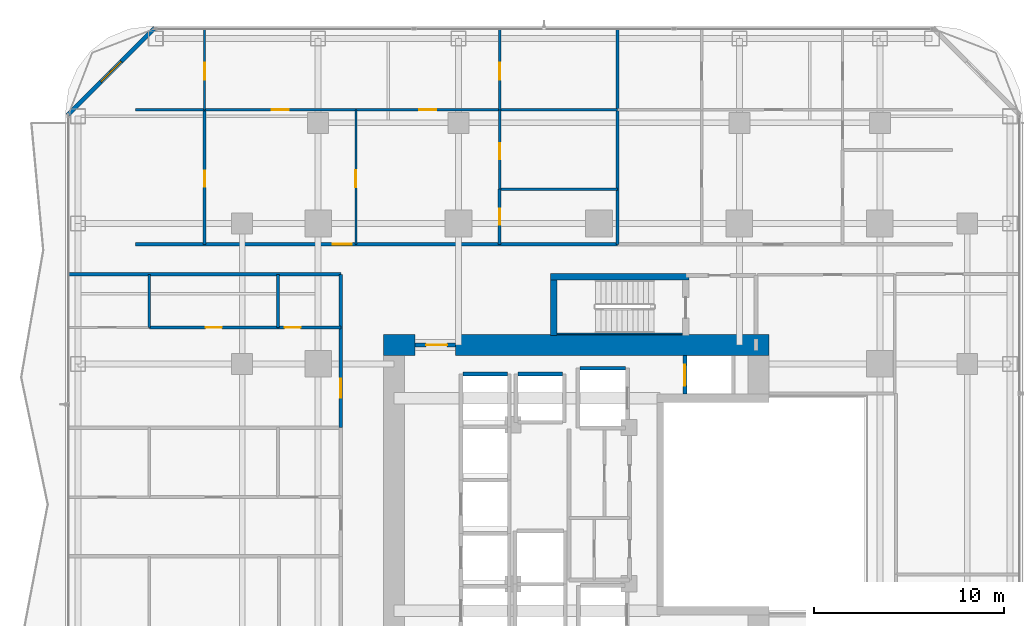
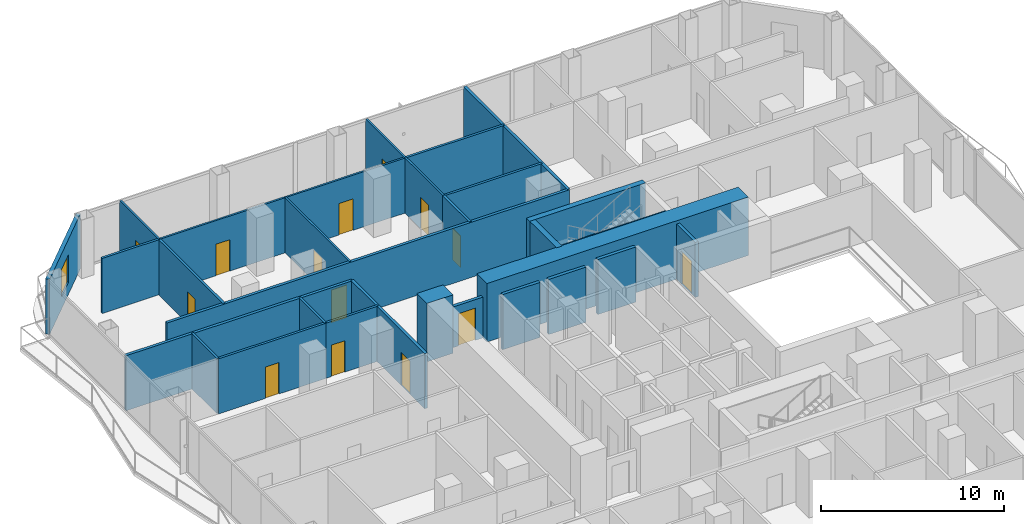
# One storey, part 23 of 30: 30 walls, 14 doors, 1 window, 15 openings.
"""IFC4 building model written with IfcOpenShell, lengths in metres."""

import ifcopenshell
import ifcopenshell.guid

model = None  # the IFC model being written
_history = None  # IfcOwnerHistory: only IFC2X3 demands one
_inside = {}  # id of a spatial element -> (the spatial element, [elements in it])
_under = {}  # id of a project, library or spatial element -> (it, [spatial elements below it])
_declared = {}  # id of a project -> (the project, [libraries it declares])
_typed = {}  # id of a type object -> (the type object, [elements of that type])
_made_of = {}  # id of a material, layer set ... -> (it, [elements and type objects made of it])


def new_model(schema):
    """Start an empty IFC model of exactly this schema.

    Asked for "IFC4X3", IfcOpenShell would pick the latest addendum, in which some entities
    have other attributes; the version numbers below select the first issue.
    IFC2X3 requires an IfcOwnerHistory on every rooted entity: one is made here for all.
    """
    global model, _history
    if schema == "IFC4X3":
        model = ifcopenshell.file(schema_version=(4, 3, 0, 0))
    else:
        model = ifcopenshell.file(schema=schema)
    _inside.clear()
    _under.clear()
    _declared.clear()
    _typed.clear()
    _made_of.clear()
    _history = None
    if model.schema == "IFC2X3":
        org = make("IfcOrganization", Name="unknown")
        user = make(
            "IfcPersonAndOrganization",
            ThePerson=make("IfcPerson", FamilyName="unknown"),
            TheOrganization=org,
        )
        app = make(
            "IfcApplication",
            ApplicationDeveloper=org,
            Version="unknown",
            ApplicationFullName="unknown",
            ApplicationIdentifier="unknown",
        )
        _history = make(
            "IfcOwnerHistory",
            OwningUser=user,
            OwningApplication=app,
            ChangeAction="ADDED",
            CreationDate=0,
        )
    return model


def make(cls, **values):
    """One entity of the class cls with the attributes given. An attribute that is None is left unset."""
    return model.create_entity(
        cls, **{name: value for name, value in values.items() if value is not None}
    )


def rooted(cls, **values):
    """An entity with a GlobalId (a new one), such as an element, a storey or a relation."""
    return make(cls, GlobalId=ifcopenshell.guid.new(), OwnerHistory=_history, **values)


def si_unit(unit_type, name, prefix=None):
    """IfcSIUnit, for example si_unit("LENGTHUNIT", "METRE", prefix="MILLI")."""
    return make("IfcSIUnit", UnitType=unit_type, Prefix=prefix, Name=name)


def assignment(units):
    """IfcUnitAssignment: the units of a project."""
    return None if units is None else make("IfcUnitAssignment", Units=units)


def point(xyz):
    """IfcCartesianPoint."""
    return None if xyz is None else make("IfcCartesianPoint", Coordinates=xyz)


def direction(xyz):
    """IfcDirection."""
    return None if xyz is None else make("IfcDirection", DirectionRatios=xyz)


def frame(location, z_axis=None, x_axis=None):
    """IfcAxis2Placement3D, a coordinate frame: its origin and axes. An axis left out is left unset."""
    return make(
        "IfcAxis2Placement3D",
        Location=point(location),
        Axis=direction(z_axis),
        RefDirection=direction(x_axis),
    )


def frame_2d(location, x_axis=None):
    """IfcAxis2Placement2D, a coordinate frame in the plane: its origin and x axis."""
    return make(
        "IfcAxis2Placement2D", Location=point(location), RefDirection=direction(x_axis)
    )


def origin():
    """The frame at (0, 0, 0) with its axes left unset."""
    return frame((0.0, 0.0, 0.0))


def place(relative_to, where):
    """IfcLocalPlacement: puts the frame where relative to a parent placement (None: the world)."""
    return make(
        "IfcLocalPlacement", PlacementRelTo=relative_to, RelativePlacement=where
    )


def context(
    kind, dimensions, precision=None, world=None, true_north=None, identifier=None
):
    """IfcGeometricRepresentationContext, for example the 3D "Model" context."""
    return make(
        "IfcGeometricRepresentationContext",
        ContextIdentifier=identifier,
        ContextType=kind,
        CoordinateSpaceDimension=dimensions,
        Precision=precision,
        WorldCoordinateSystem=world,
        TrueNorth=true_north,
    )


def subcontext(parent, identifier, kind, view, scale=None):
    """IfcGeometricRepresentationSubContext, for example "Body" below "Model"."""
    return make(
        "IfcGeometricRepresentationSubContext",
        ContextIdentifier=identifier,
        ContextType=kind,
        ParentContext=parent,
        TargetScale=scale,
        TargetView=view,
    )


def project(units=None, contexts=None):
    """IfcProject with its units and contexts."""
    return rooted(
        "IfcProject",
        Name="project",
        RepresentationContexts=contexts,
        UnitsInContext=assignment(units),
    )


def spatial(cls, under=None, at=None, **own):
    """A site, building, storey or space (cls), placed at a placement, below another one or the project."""
    s = rooted(cls, ObjectPlacement=at, **own)
    if under is not None:
        _under.setdefault(under.id(), (under, []))[1].append(s)
    return s


def profile(cls, at=None, kind="AREA", **sizes):
    """A parametric profile (cls). Its sizes go by their IFC names, for example OverallWidth=200.0."""
    return make(cls, ProfileType=kind, Position=at, **sizes)


def rectangle(**sizes):
    """IfcRectangleProfileDef."""
    return profile("IfcRectangleProfileDef", **sizes)


def extrude(swept, where, along, depth):
    """IfcExtrudedAreaSolid: the profile swept, set in the frame where, extruded along a direction by depth."""
    return make(
        "IfcExtrudedAreaSolid",
        SweptArea=swept,
        Position=where,
        ExtrudedDirection=direction(along),
        Depth=depth,
    )


def shape(context_of_items, identifier, shape_type, items):
    """IfcShapeRepresentation: the items that make up one representation, for example the "Body"."""
    return make(
        "IfcShapeRepresentation",
        ContextOfItems=context_of_items,
        RepresentationIdentifier=identifier,
        RepresentationType=shape_type,
        Items=items,
    )


def material(Name=None, Category=None):
    """IfcMaterial."""
    return make("IfcMaterial", Name=Name, Category=Category)


def layer(
    of_material, thickness, ventilated=None, Name=None, Category=None, Priority=None
):
    """IfcMaterialLayer: one layer of a wall or slab, of a material (None: an air gap)."""
    return make(
        "IfcMaterialLayer",
        Material=of_material,
        LayerThickness=thickness,
        IsVentilated=ventilated,
        Name=Name,
        Category=Category,
        Priority=Priority,
    )


def layer_set(layers, Name=None):
    """IfcMaterialLayerSet."""
    return make("IfcMaterialLayerSet", MaterialLayers=layers, LayerSetName=Name)


def made_of(thing, what):
    """Note that an element or type object is made of a material, layer set ...; save() writes the relation."""
    if what is not None:
        _made_of.setdefault(what.id(), (what, []))[1].append(thing)
    return thing


def type_object(cls, material=None, **own):
    """A type object (cls), such as IfcWallType, which elements share."""
    return made_of(rooted(cls, **own), material)


def element(
    cls,
    number,
    at=None,
    inside=None,
    cuts=None,
    type_object=None,
    material=None,
    context=None,
    identifier="Body",
    shape_type=None,
    held_by="IfcProductDefinitionShape",
    body=None,
    shapes=None,
    **own,
):
    """One element of the class cls, such as IfcWall. Its Tag is "e" and its number.

    at: its placement. inside: the storey or other place that contains it. cuts: it is an
    opening in that element (IfcRelVoidsElement). A single representation is given by context,
    identifier, shape_type and body (its items); several are given by shapes. held_by: the class
    of the entity that holds the representations. save() writes the other relations.
    """
    e = rooted(cls, Tag="e%d" % number, ObjectPlacement=at, **own)
    if body is not None:
        shapes = [shape(context, identifier, shape_type, body)]
    if shapes is not None:
        e.Representation = make(held_by, Representations=shapes)
    if inside is not None:
        _inside.setdefault(inside.id(), (inside, []))[1].append(e)
    if cuts is not None:
        rooted(
            "IfcRelVoidsElement", RelatingBuildingElement=cuts, RelatedOpeningElement=e
        )
    if type_object is not None:
        _typed.setdefault(type_object.id(), (type_object, []))[1].append(e)
    return made_of(e, material)


def fill(opening, filler):
    """IfcRelFillsElement: the door or window that sits in an opening."""
    return rooted(
        "IfcRelFillsElement",
        RelatingOpeningElement=opening,
        RelatedBuildingElement=filler,
    )


def aggregate(whole, parts):
    """IfcRelAggregates: a whole, such as a stair, and the parts it consists of."""
    return rooted("IfcRelAggregates", RelatingObject=whole, RelatedObjects=parts)


def save(model, path):
    """Write the relations noted so far, then the file.

    IfcRelAggregates (storeys below a building ...), IfcRelContainedInSpatialStructure (elements
    in a storey), IfcRelDefinesByType, IfcRelAssociatesMaterial and IfcRelDeclares: one each for
    every whole, place, type object, material and project.
    """
    for whole, parts in _under.values():
        aggregate(whole, parts)
    for where, things in _inside.values():
        rooted(
            "IfcRelContainedInSpatialStructure",
            RelatedElements=things,
            RelatingStructure=where,
        )
    for kind, things in _typed.values():
        rooted("IfcRelDefinesByType", RelatedObjects=things, RelatingType=kind)
    for what, things in _made_of.values():
        rooted("IfcRelAssociatesMaterial", RelatedObjects=things, RelatingMaterial=what)
    for by, libraries in _declared.values():
        rooted("IfcRelDeclares", RelatingContext=by, RelatedDefinitions=libraries)
    model.write(path)


model = new_model("IFC4")

# Units and contexts
model_context = context("Model", 3, precision=1e-05, world=origin(), true_north=direction((0.0, 1.0)))
body_context = subcontext(model_context, "Body", "Model", "MODEL_VIEW")
ifc_project = project(units=[si_unit("LENGTHUNIT", "METRE"), si_unit("AREAUNIT", "SQUARE_METRE"), si_unit("VOLUMEUNIT", "CUBIC_METRE"), si_unit("PLANEANGLEUNIT", "RADIAN"), si_unit("MASSUNIT", "GRAM", prefix="KILO")], contexts=[model_context])

# Site, building, storey
site_placement = place(None, origin())
site = spatial("IfcSite", under=ifc_project, at=site_placement, CompositionType="ELEMENT")
building_placement = place(site_placement, origin())
building = spatial("IfcBuilding", under=site, at=building_placement, Name="Khorvyn Point Tower", CompositionType="ELEMENT")
storey_placement = place(building_placement, frame((0.0, 0.0, 57.89990234375)))
storey = spatial("IfcBuildingStorey", under=building, at=storey_placement, Name="L15", CompositionType="ELEMENT", Elevation=57.89990234375)

# Wall, opening, door
ifc_material_1 = material(Name="Double acoustic gypsum on twin steel stud", Category="steel")
ifc_layer_1 = layer(ifc_material_1, 0.179931640625)
ifc_layer_set_1 = layer_set([ifc_layer_1], Name="Acoustic Double-Stud Apartment Demising Wall 180")
wall_type_1 = type_object("IfcWallType", Name="Acoustic Double-Stud Apartment Demising Wall 180", PredefinedType="PARTITIONING", material=ifc_layer_set_1)
wall_1_placement = place(storey_placement, frame((-24.419921875, 13.699951171875, 0.0), z_axis=(0.0, 0.0, 1.0), x_axis=(1.0, 0.0, 0.0)))
wall_1 = element("IfcWall", 1, at=wall_1_placement, inside=storey, type_object=wall_type_1, Name="Wall", PredefinedType="PARTITIONING", context=body_context, shape_type="SweptSolid", body=[
    extrude(rectangle(XDim=25.39404296875, YDim=0.179931640625, at=frame_2d((12.697021484375, 0.0))), origin(), (0.0, 0.0, 1.0), 3.68017578125),
])
opening_1_placement = place(wall_1_placement, frame((10.400390625, 0.0, 0.0)))
opening_1 = element("IfcOpeningElement", 2, at=opening_1_placement, cuts=wall_1, Name="Opening ID-AP60", PredefinedType="OPENING", context=body_context, shape_type="SweptSolid", body=[
    extrude(rectangle(XDim=1.0, YDim=2.199951171875, at=frame_2d((0.5, 1.10009765625))), frame((0.0, 0.099853515625, 0.0), z_axis=(0.0, -1.0, 0.0), x_axis=(1.0, 0.0, 0.0)), (0.0, 0.0, 1.0), 0.199951171875),
])
ifc_material_2 = material(Name="Engineered hardwood fire-rated leaf", Category="wood")
door_type_1 = type_object("IfcDoorType", Name="Acoustic Solid-Core Timber Apartment Entrance Door 1000x2200", OperationType="NOTDEFINED", PredefinedType="DOOR", material=ifc_material_2)
door_1_placement = place(opening_1_placement, origin())
door_1 = element("IfcDoor", 3, at=door_1_placement, inside=storey, type_object=door_type_1, Name="Door", OperationType="SINGLE_SWING_LEFT", OverallHeight=2.199951171875, OverallWidth=1.0, PredefinedType="DOOR", context=body_context, shape_type="SweptSolid", body=[
    extrude(rectangle(XDim=1.0, YDim=2.199951171875, at=frame_2d((0.5, 1.10009765625))), frame((0.0, 0.02490234375, 0.0), z_axis=(0.0, -1.0, 0.0), x_axis=(1.0, 0.0, 0.0)), (0.0, 0.0, 1.0), 0.050048828125),
])
fill(opening_1, door_1)

wall_2_placement = place(storey_placement, frame((-13.60009765625, 4.0400390625, 0.0), z_axis=(0.0, 0.0, 1.0), x_axis=(0.0, 1.0, 0.0)))
wall_2 = element("IfcWall", 4, at=wall_2_placement, inside=storey, type_object=wall_type_1, Name="Wall", PredefinedType="PARTITIONING", context=body_context, shape_type="SweptSolid", body=[
    extrude(rectangle(XDim=8.080078125, YDim=0.179931640625, at=frame_2d((4.0400390625, 0.0))), origin(), (0.0, 0.0, 1.0), 3.68017578125),
])
opening_2_placement = place(wall_2_placement, frame((1.583251953125, 0.0, 0.0)))
opening_2 = element("IfcOpeningElement", 5, at=opening_2_placement, cuts=wall_2, Name="Opening ID-AP60", PredefinedType="OPENING", context=body_context, shape_type="SweptSolid", body=[
    extrude(rectangle(XDim=1.0, YDim=2.199951171875, at=frame_2d((0.5, 1.10009765625))), frame((0.0, 0.099853515625, 0.0), z_axis=(0.0, -1.0, 0.0), x_axis=(1.0, 0.0, 0.0)), (0.0, 0.0, 1.0), 0.199951171875),
])
door_2_placement = place(opening_2_placement, origin())
door_2 = element("IfcDoor", 6, at=door_2_placement, inside=storey, type_object=door_type_1, Name="Door", OperationType="SINGLE_SWING_LEFT", OverallHeight=2.199951171875, OverallWidth=1.0, PredefinedType="DOOR", context=body_context, shape_type="SweptSolid", body=[
    extrude(rectangle(XDim=1.0, YDim=2.199951171875, at=frame_2d((0.5, 1.10009765625))), frame((0.0, 0.02490234375, 0.0), z_axis=(0.0, -1.0, 0.0), x_axis=(1.0, 0.0, 0.0)), (0.0, 0.0, 1.0), 0.050048828125),
])
fill(opening_2, door_2)

# Walls
wall_3_placement = place(storey_placement, frame((0.97412109375, 13.699951171875, 0.0), z_axis=(0.0, 0.0, 1.0), x_axis=(0.0, 1.0, 0.0)))
element("IfcWall", 7, at=wall_3_placement, inside=storey, type_object=wall_type_1, Name="Wall", PredefinedType="PARTITIONING", context=body_context, shape_type="SweptSolid", body=[
    extrude(rectangle(XDim=11.330078125, YDim=0.179931640625, at=frame_2d((5.6650390625, 0.0))), origin(), (0.0, 0.0, 1.0), 3.68017578125),
])
wall_4_placement = place(storey_placement, frame((-27.929931640625, 12.1201171875, 0.0), z_axis=(0.0, 0.0, 1.0), x_axis=(1.0, 0.0, 0.0)))
element("IfcWall", 8, at=wall_4_placement, inside=storey, type_object=wall_type_1, Name="Wall", PredefinedType="PARTITIONING", context=body_context, shape_type="SweptSolid", body=[
    extrude(rectangle(XDim=14.329833984375, YDim=0.179931640625, at=frame_2d((7.1650390625, 0.0))), origin(), (0.0, 0.0, 1.0), 3.68017578125),
])

# Wall, opening, window
ifc_material_3 = material(Name="Pale anodised aluminium rainscreen on steel stud", Category="steel")
ifc_layer_2 = layer(ifc_material_3, 0.239990234375)
ifc_layer_set_2 = layer_set([ifc_layer_2], Name="Anodised Aluminium Insulated Corner Spandrel Wall 240")
wall_type_2 = type_object("IfcWallType", Name="Anodised Aluminium Insulated Corner Spandrel Wall 240", PredefinedType="SOLIDWALL", material=ifc_layer_set_2)
wall_5_placement = place(storey_placement, frame((-27.992431640625, 20.507568359375, 0.0), z_axis=(0.0, 0.0, 1.0), x_axis=(0.707106781187, 0.707106781187, 0.0)))
wall_5 = element("IfcWall", 9, at=wall_5_placement, inside=storey, type_object=wall_type_2, Name="L15 Rounded Corner Wall NW", PredefinedType="SOLIDWALL", context=body_context, shape_type="SweptSolid", body=[
    extrude(rectangle(XDim=6.48388671875, YDim=0.239990234375, at=frame_2d((3.241943359375, 0.0))), origin(), (0.0, 0.0, 1.0), 3.68017578125),
])
opening_3_placement = place(wall_5_placement, frame((2.491943359375, 0.0, 0.800048828125)))
opening_3 = element("IfcOpeningElement", 10, at=opening_3_placement, cuts=wall_5, Name="Opening WN-1518", PredefinedType="OPENING", context=body_context, shape_type="SweptSolid", body=[
    extrude(rectangle(XDim=1.5, YDim=1.85009765625, at=frame_2d((0.75, 0.925048828125))), frame((0.0, 0.1298828125, 0.0), z_axis=(0.0, -1.0, 0.0), x_axis=(1.0, 0.0, 0.0)), (0.0, 0.0, 1.0), 0.260009765625),
])
ifc_material_4 = material(Name="Anodised aluminium 6063-T6 and laminated Low-E glass", Category="aluminium")
window_type = type_object("IfcWindowType", Name="Anodised Aluminium Rounded-Corner Panoramic Window 1500x1850", PartitioningType="SINGLE_PANEL", PredefinedType="WINDOW", material=ifc_material_4)
window_placement = place(opening_3_placement, origin())
window = element("IfcWindow", 11, at=window_placement, inside=storey, type_object=window_type, Name="L15 Corner Panoramic Window NW", OverallHeight=1.85009765625, OverallWidth=1.5, PartitioningType="SINGLE_PANEL", PredefinedType="WINDOW", context=body_context, shape_type="SweptSolid", body=[
    extrude(rectangle(XDim=1.5, YDim=1.85009765625, at=frame_2d((0.75, 0.925048828125))), frame((0.0, 0.030029296875, 0.0), z_axis=(0.0, -1.0, 0.0), x_axis=(1.0, 0.0, 0.0)), (0.0, 0.0, 1.0), 0.06005859375),
])
fill(opening_3, window)

# Wall, opening, door
ifc_material_5 = material(Name="Concrete C40/50", Category="concrete")
ifc_layer_3 = layer(ifc_material_5, 0.199951171875)
ifc_layer_set_3 = layer_set([ifc_layer_3], Name="Concrete C40/50 Fire-Lobby Compartment Wall 200")
wall_type_3 = type_object("IfcWallType", Name="Concrete C40/50 Fire-Lobby Compartment Wall 200", PredefinedType="SOLIDWALL", material=ifc_layer_set_3)
wall_6_placement = place(storey_placement, frame((-9.699951171875, 8.39990234375, 0.0), z_axis=(0.0, 0.0, 1.0), x_axis=(1.0, 0.0, 0.0)))
wall_6 = element("IfcWall", 12, at=wall_6_placement, inside=storey, type_object=wall_type_3, Name="Wall", PredefinedType="SOLIDWALL", context=body_context, shape_type="SweptSolid", body=[
    extrude(rectangle(XDim=2.14990234375, YDim=0.199951171875, at=frame_2d((1.074951171875, 0.0))), origin(), (0.0, 0.0, 1.0), 2.72021484375),
])
opening_4_placement = place(wall_6_placement, frame((0.597900390625, 0.0, 0.0)))
opening_4 = element("IfcOpeningElement", 13, at=opening_4_placement, cuts=wall_6, Name="Opening ID-FL90", PredefinedType="OPENING", context=body_context, shape_type="SweptSolid", body=[
    extrude(rectangle(XDim=1.10009765625, YDim=2.14990234375, at=frame_2d((0.550048828125, 1.074951171875))), frame((0.0, 0.10986328125, 0.0), z_axis=(0.0, -1.0, 0.0), x_axis=(1.0, 0.0, 0.0)), (0.0, 0.0, 1.0), 0.219970703125),
])
ifc_material_6 = material(Name="Galvanised powder-coated steel", Category="steel")
door_type_2 = type_object("IfcDoorType", Name="Fire-Rated Steel Lobby and Stair Door 1100x2150", OperationType="NOTDEFINED", PredefinedType="DOOR", material=ifc_material_6)
door_3_placement = place(opening_4_placement, origin())
door_3 = element("IfcDoor", 14, at=door_3_placement, inside=storey, type_object=door_type_2, Name="Door", OperationType="SINGLE_SWING_RIGHT", OverallHeight=2.14990234375, OverallWidth=1.10009765625, PredefinedType="DOOR", context=body_context, shape_type="SweptSolid", body=[
    extrude(rectangle(XDim=1.10009765625, YDim=2.14990234375, at=frame_2d((0.550048828125, 1.074951171875))), frame((0.0, 0.02490234375, 0.0), z_axis=(0.0, -1.0, 0.0), x_axis=(1.0, 0.0, 0.0)), (0.0, 0.0, 1.0), 0.050048828125),
])
fill(opening_4, door_3)

# Walls
ifc_layer_4 = layer(ifc_material_5, 0.25)
ifc_layer_set_4 = layer_set([ifc_layer_4], Name="Concrete C40/50 Stair Inner Cheek Structural Wall 250")
wall_type_4 = type_object("IfcWallType", Name="Concrete C40/50 Stair Inner Cheek Structural Wall 250", PredefinedType="SHEAR", material=ifc_layer_set_4)
wall_7_placement = place(storey_placement, frame((-2.199951171875, 8.987548828125, 0.0), z_axis=(0.0, 0.0, 1.0), x_axis=(1.0, 0.0, 0.0)))
element("IfcWall", 15, at=wall_7_placement, inside=storey, type_object=wall_type_4, Name="Wall", PredefinedType="SHEAR", context=body_context, shape_type="SweptSolid", body=[
    extrude(rectangle(XDim=6.599853515625, YDim=0.074951171875, at=frame_2d((3.2998046875, 0.0))), origin(), (0.0, 0.0, 1.0), 3.900146484375),
])
ifc_layer_5 = layer(ifc_material_5, 0.35009765625)
ifc_layer_set_5 = layer_set([ifc_layer_5], Name="Concrete C40/50 Stair Shaft Structural Wall 350")
wall_type_5 = type_object("IfcWallType", Name="Concrete C40/50 Stair Shaft Structural Wall 350", PredefinedType="SHEAR", material=ifc_layer_set_5)
wall_8_placement = place(storey_placement, frame((-2.554931640625, 12.0, 0.0), z_axis=(0.0, 0.0, 1.0), x_axis=(1.0, 0.0, 0.0)))
element("IfcWall", 16, at=wall_8_placement, inside=storey, type_object=wall_type_5, Name="L15 ST-02 North Shaft Wall", PredefinedType="SHEAR", context=body_context, shape_type="SweptSolid", body=[
    extrude(rectangle(XDim=7.309814453125, YDim=0.35009765625, at=frame_2d((3.65478515625, 0.0))), origin(), (0.0, 0.0, 1.0), 3.900146484375),
])
wall_9_placement = place(storey_placement, frame((-2.3798828125, 8.89990234375, 0.0), z_axis=(0.0, 0.0, 1.0), x_axis=(0.0, 1.0, 0.0)))
element("IfcWall", 17, at=wall_9_placement, inside=storey, type_object=wall_type_5, Name="L15 ST-02 West Shaft Wall", PredefinedType="SHEAR", context=body_context, shape_type="SweptSolid", body=[
    extrude(rectangle(XDim=2.925048828125, YDim=0.35009765625, at=frame_2d((1.46240234375, 0.0))), origin(), (0.0, 0.0, 1.0), 3.900146484375),
])
ifc_layer_6 = layer(ifc_material_5, 0.199951171875)
ifc_layer_set_6 = layer_set([ifc_layer_6], Name="Concrete C40/50 Structural Hoistway and Stair Shaft Wall 200")
wall_type_6 = type_object("IfcWallType", Name="Concrete C40/50 Structural Hoistway and Stair Shaft Wall 200", PredefinedType="SHEAR", material=ifc_layer_set_6)
wall_10_placement = place(storey_placement, frame((-7.175048828125, 6.875, 0.0), z_axis=(0.0, 0.0, 1.0), x_axis=(1.0, 0.0, 0.0)))
element("IfcWall", 18, at=wall_10_placement, inside=storey, type_object=wall_type_6, Name="Wall", PredefinedType="SHEAR", context=body_context, shape_type="SweptSolid", body=[
    extrude(rectangle(XDim=2.35009765625, YDim=0.199951171875, at=frame_2d((1.175048828125, 0.0))), origin(), (0.0, 0.0, 1.0), 3.68017578125),
])
wall_11_placement = place(storey_placement, frame((-4.27490234375, 6.875, 0.0), z_axis=(0.0, 0.0, 1.0), x_axis=(1.0, 0.0, 0.0)))
element("IfcWall", 19, at=wall_11_placement, inside=storey, type_object=wall_type_6, Name="Wall", PredefinedType="SHEAR", context=body_context, shape_type="SweptSolid", body=[
    extrude(rectangle(XDim=2.349853515625, YDim=0.199951171875, at=frame_2d((1.1748046875, 0.0))), origin(), (0.0, 0.0, 1.0), 3.68017578125),
])
wall_12_placement = place(storey_placement, frame((-1.0, 7.175048828125, 0.0), z_axis=(0.0, 0.0, 1.0), x_axis=(1.0, 0.0, 0.0)))
element("IfcWall", 20, at=wall_12_placement, inside=storey, type_object=wall_type_6, Name="Wall", PredefinedType="SHEAR", context=body_context, shape_type="SweptSolid", body=[
    extrude(rectangle(XDim=2.39990234375, YDim=0.199951171875, at=frame_2d((1.199951171875, 0.0))), origin(), (0.0, 0.0, 1.0), 3.68017578125),
])

# Wall, opening, door
wall_13_placement = place(storey_placement, frame((4.52490234375, 5.824951171875, 0.0), z_axis=(0.0, 0.0, 1.0), x_axis=(0.0, 1.0, 0.0)))
wall_13 = element("IfcWall", 21, at=wall_13_placement, inside=storey, type_object=wall_type_6, Name="Wall", PredefinedType="SHEAR", context=body_context, shape_type="SweptSolid", body=[
    extrude(rectangle(XDim=2.025146484375, YDim=0.199951171875, at=frame_2d((1.0126953125, 0.0))), origin(), (0.0, 0.0, 1.0), 3.68017578125),
])
opening_5_placement = place(wall_13_placement, frame((0.425048828125, 0.0, 0.0)))
opening_5 = element("IfcOpeningElement", 22, at=opening_5_placement, cuts=wall_13, Name="Opening LD-1122", PredefinedType="OPENING", context=body_context, shape_type="SweptSolid", body=[
    extrude(rectangle(XDim=1.10009765625, YDim=2.199951171875, at=frame_2d((0.550048828125, 1.10009765625))), frame((0.0, 0.10986328125, 0.0), z_axis=(0.0, -1.0, 0.0), x_axis=(1.0, 0.0, 0.0)), (0.0, 0.0, 1.0), 0.219970703125),
])
ifc_material_7 = material(Name="Stainless steel 1.4301", Category="steel")
door_type_3 = type_object("IfcDoorType", Name="Stainless Steel Automatic Sliding Lift Landing Door 1100x2200", OperationType="SLIDING_TO_LEFT", PredefinedType="DOOR", material=ifc_material_7)
door_4_placement = place(opening_5_placement, origin())
door_4 = element("IfcDoor", 23, at=door_4_placement, inside=storey, type_object=door_type_3, Name="L15 FF-02 Sliding Lift Landing Door", OperationType="SLIDING_TO_LEFT", OverallHeight=2.199951171875, OverallWidth=1.10009765625, PredefinedType="DOOR", context=body_context, shape_type="SweptSolid", body=[
    extrude(rectangle(XDim=1.10009765625, YDim=2.199951171875, at=frame_2d((0.550048828125, 1.10009765625))), frame((0.0, 0.02490234375, 0.0), z_axis=(0.0, -1.0, 0.0), x_axis=(1.0, 0.0, 0.0)), (0.0, 0.0, 1.0), 0.050048828125),
])
fill(opening_5, door_4)

# Walls
ifc_material_8 = material(Name="Concrete C50/60", Category="concrete")
ifc_layer_7 = layer(ifc_material_8, 1.10009765625)
ifc_layer_set_7 = layer_set([ifc_layer_7], Name="Concrete C50/60 Core Shear Wall 1100")
wall_type_7 = type_object("IfcWallType", Name="Concrete C50/60 Core Shear Wall 1100", PredefinedType="SHEAR", material=ifc_layer_set_7)
wall_14_placement = place(storey_placement, frame((-11.35009765625, 8.39990234375, 0.0), z_axis=(0.0, 0.0, 1.0), x_axis=(1.0, 0.0, 0.0)))
element("IfcWall", 24, at=wall_14_placement, inside=storey, type_object=wall_type_7, Name="Wall", PredefinedType="SHEAR", context=body_context, shape_type="SweptSolid", body=[
    extrude(rectangle(XDim=1.650146484375, YDim=1.10009765625, at=frame_2d((0.8251953125, 0.0))), origin(), (0.0, 0.0, 1.0), 3.900146484375),
])
wall_15_placement = place(storey_placement, frame((-7.550048828125, 8.39990234375, 0.0), z_axis=(0.0, 0.0, 1.0), x_axis=(1.0, 0.0, 0.0)))
element("IfcWall", 25, at=wall_15_placement, inside=storey, type_object=wall_type_7, Name="Wall", PredefinedType="SHEAR", context=body_context, shape_type="SweptSolid", body=[
    extrude(rectangle(XDim=16.5, YDim=1.10009765625, at=frame_2d((8.25, 0.0))), origin(), (0.0, 0.0, 1.0), 3.900146484375),
])

# Wall, opening, door
ifc_material_9 = material(Name="Gypsum plasterboard on steel stud", Category="steel")
ifc_layer_8 = layer(ifc_material_9, 0.1201171875)
ifc_layer_set_8 = layer_set([ifc_layer_8], Name="Gypsum Acoustic Stud Room Partition Wall 120")
wall_type_8 = type_object("IfcWallType", Name="Gypsum Acoustic Stud Room Partition Wall 120", PredefinedType="PARTITIONING", material=ifc_layer_set_8)
wall_16_placement = place(storey_placement, frame((-20.77587890625, 20.7900390625, 0.0), z_axis=(0.0, 0.0, 1.0), x_axis=(1.0, 0.0, 0.0)))
wall_16 = element("IfcWall", 26, at=wall_16_placement, inside=storey, type_object=wall_type_8, Name="Wall", PredefinedType="PARTITIONING", context=body_context, shape_type="SweptSolid", body=[
    extrude(rectangle(XDim=7.970947265625, YDim=0.1201171875, at=frame_2d((3.9853515625, 0.0))), origin(), (0.0, 0.0, 1.0), 3.68017578125),
])
opening_6_placement = place(wall_16_placement, frame((3.535400390625, 0.0, 0.0)))
opening_6 = element("IfcOpeningElement", 27, at=opening_6_placement, cuts=wall_16, Name="Opening ID-RM90", PredefinedType="OPENING", context=body_context, shape_type="SweptSolid", body=[
    extrude(rectangle(XDim=0.89990234375, YDim=2.10009765625, at=frame_2d((0.449951171875, 1.050048828125))), frame((0.0, 0.070068359375, 0.0), z_axis=(0.0, -1.0, 0.0), x_axis=(1.0, 0.0, 0.0)), (0.0, 0.0, 1.0), 0.14013671875),
])
ifc_material_10 = material(Name="Engineered oak veneer timber", Category="wood")
door_type_4 = type_object("IfcDoorType", Name="Flush Engineered Timber Room Door 900x2100", OperationType="NOTDEFINED", PredefinedType="DOOR", material=ifc_material_10)
door_5_placement = place(opening_6_placement, origin())
door_5 = element("IfcDoor", 28, at=door_5_placement, inside=storey, type_object=door_type_4, Name="Door", OperationType="SINGLE_SWING_RIGHT", OverallHeight=2.10009765625, OverallWidth=0.89990234375, PredefinedType="DOOR", context=body_context, shape_type="SweptSolid", body=[
    extrude(rectangle(XDim=0.89990234375, YDim=2.10009765625, at=frame_2d((0.449951171875, 1.050048828125))), frame((0.0, 0.02490234375, 0.0), z_axis=(0.0, -1.0, 0.0), x_axis=(1.0, 0.0, 0.0)), (0.0, 0.0, 1.0), 0.050048828125),
])
fill(opening_6, door_5)

wall_17_placement = place(storey_placement, frame((-12.804931640625, 20.7900390625, 0.0), z_axis=(0.0, 0.0, 1.0), x_axis=(1.0, 0.0, 0.0)))
wall_17 = element("IfcWall", 29, at=wall_17_placement, inside=storey, type_object=wall_type_8, Name="Wall", PredefinedType="PARTITIONING", context=body_context, shape_type="SweptSolid", body=[
    extrude(rectangle(XDim=7.572998046875, YDim=0.1201171875, at=frame_2d((3.78662109375, 0.0))), origin(), (0.0, 0.0, 1.0), 3.68017578125),
])
opening_7_placement = place(wall_17_placement, frame((3.33642578125, 0.0, 0.0)))
opening_7 = element("IfcOpeningElement", 30, at=opening_7_placement, cuts=wall_17, Name="Opening ID-RM90", PredefinedType="OPENING", context=body_context, shape_type="SweptSolid", body=[
    extrude(rectangle(XDim=0.89990234375, YDim=2.10009765625, at=frame_2d((0.449951171875, 1.050048828125))), frame((0.0, 0.070068359375, 0.0), z_axis=(0.0, -1.0, 0.0), x_axis=(1.0, 0.0, 0.0)), (0.0, 0.0, 1.0), 0.14013671875),
])
door_6_placement = place(opening_7_placement, origin())
door_6 = element("IfcDoor", 31, at=door_6_placement, inside=storey, type_object=door_type_4, Name="Door", OperationType="SINGLE_SWING_LEFT", OverallHeight=2.10009765625, OverallWidth=0.89990234375, PredefinedType="DOOR", context=body_context, shape_type="SweptSolid", body=[
    extrude(rectangle(XDim=0.89990234375, YDim=2.10009765625, at=frame_2d((0.449951171875, 1.050048828125))), frame((0.0, 0.02490234375, 0.0), z_axis=(0.0, -1.0, 0.0), x_axis=(1.0, 0.0, 0.0)), (0.0, 0.0, 1.0), 0.050048828125),
])
fill(opening_7, door_6)

wall_18_placement = place(storey_placement, frame((-12.804931640625, 13.699951171875, 0.0), z_axis=(0.0, 0.0, 1.0), x_axis=(0.0, 1.0, 0.0)))
wall_18 = element("IfcWall", 32, at=wall_18_placement, inside=storey, type_object=wall_type_8, Name="Wall", PredefinedType="PARTITIONING", context=body_context, shape_type="SweptSolid", body=[
    extrude(rectangle(XDim=7.090087890625, YDim=0.1201171875, at=frame_2d((3.544921875, 0.0))), origin(), (0.0, 0.0, 1.0), 3.68017578125),
])
opening_8_placement = place(wall_18_placement, frame((3.006103515625, 0.0, 0.0)))
opening_8 = element("IfcOpeningElement", 33, at=opening_8_placement, cuts=wall_18, Name="Opening ID-RM90", PredefinedType="OPENING", context=body_context, shape_type="SweptSolid", body=[
    extrude(rectangle(XDim=0.89990234375, YDim=2.10009765625, at=frame_2d((0.449951171875, 1.050048828125))), frame((0.0, 0.070068359375, 0.0), z_axis=(0.0, -1.0, 0.0), x_axis=(1.0, 0.0, 0.0)), (0.0, 0.0, 1.0), 0.14013671875),
])
door_7_placement = place(opening_8_placement, origin())
door_7 = element("IfcDoor", 34, at=door_7_placement, inside=storey, type_object=door_type_4, Name="Door", OperationType="SINGLE_SWING_RIGHT", OverallHeight=2.10009765625, OverallWidth=0.89990234375, PredefinedType="DOOR", context=body_context, shape_type="SweptSolid", body=[
    extrude(rectangle(XDim=0.89990234375, YDim=2.10009765625, at=frame_2d((0.449951171875, 1.050048828125))), frame((0.0, 0.02490234375, 0.0), z_axis=(0.0, -1.0, 0.0), x_axis=(1.0, 0.0, 0.0)), (0.0, 0.0, 1.0), 0.050048828125),
])
fill(opening_8, door_7)

wall_19_placement = place(storey_placement, frame((-20.77587890625, 20.7900390625, 0.0), z_axis=(0.0, 0.0, 1.0), x_axis=(0.0, 1.0, 0.0)))
wall_19 = element("IfcWall", 35, at=wall_19_placement, inside=storey, type_object=wall_type_8, Name="Wall", PredefinedType="PARTITIONING", context=body_context, shape_type="SweptSolid", body=[
    extrude(rectangle(XDim=4.239990234375, YDim=0.1201171875, at=frame_2d((2.1201171875, 0.0))), origin(), (0.0, 0.0, 1.0), 3.68017578125),
])
opening_9_placement = place(wall_19_placement, frame((1.581298828125, 0.0, 0.0)))
opening_9 = element("IfcOpeningElement", 36, at=opening_9_placement, cuts=wall_19, Name="Opening ID-RM90", PredefinedType="OPENING", context=body_context, shape_type="SweptSolid", body=[
    extrude(rectangle(XDim=0.89990234375, YDim=2.10009765625, at=frame_2d((0.449951171875, 1.050048828125))), frame((0.0, 0.070068359375, 0.0), z_axis=(0.0, -1.0, 0.0), x_axis=(1.0, 0.0, 0.0)), (0.0, 0.0, 1.0), 0.14013671875),
])
door_8_placement = place(opening_9_placement, origin())
door_8 = element("IfcDoor", 37, at=door_8_placement, inside=storey, type_object=door_type_4, Name="Door", OperationType="SINGLE_SWING_RIGHT", OverallHeight=2.10009765625, OverallWidth=0.89990234375, PredefinedType="DOOR", context=body_context, shape_type="SweptSolid", body=[
    extrude(rectangle(XDim=0.89990234375, YDim=2.10009765625, at=frame_2d((0.449951171875, 1.050048828125))), frame((0.0, 0.02490234375, 0.0), z_axis=(0.0, -1.0, 0.0), x_axis=(1.0, 0.0, 0.0)), (0.0, 0.0, 1.0), 0.050048828125),
])
fill(opening_9, door_8)

wall_20_placement = place(storey_placement, frame((-5.23193359375, 16.60693359375, 0.0), z_axis=(0.0, 0.0, 1.0), x_axis=(0.0, 1.0, 0.0)))
wall_20 = element("IfcWall", 38, at=wall_20_placement, inside=storey, type_object=wall_type_8, Name="Wall", PredefinedType="PARTITIONING", context=body_context, shape_type="SweptSolid", body=[
    extrude(rectangle(XDim=4.18310546875, YDim=0.1201171875, at=frame_2d((2.091552734375, 0.0))), origin(), (0.0, 0.0, 1.0), 3.68017578125),
])
opening_10_placement = place(wall_20_placement, frame((1.577880859375, 0.0, 0.0)))
opening_10 = element("IfcOpeningElement", 39, at=opening_10_placement, cuts=wall_20, Name="Opening ID-WC85", PredefinedType="OPENING", context=body_context, shape_type="SweptSolid", body=[
    extrude(rectangle(XDim=0.85009765625, YDim=2.10009765625, at=frame_2d((0.425048828125, 1.050048828125))), frame((0.0, 0.070068359375, 0.0), z_axis=(0.0, -1.0, 0.0), x_axis=(1.0, 0.0, 0.0)), (0.0, 0.0, 1.0), 0.14013671875),
])
ifc_material_11 = material(Name="High-pressure laminate on moisture-resistant core", Category="wood")
door_type_5 = type_object("IfcDoorType", Name="Moisture-Resistant Accessible Washroom Door 850x2100", OperationType="NOTDEFINED", PredefinedType="DOOR", material=ifc_material_11)
door_9_placement = place(opening_10_placement, origin())
door_9 = element("IfcDoor", 40, at=door_9_placement, inside=storey, type_object=door_type_5, Name="Door", OperationType="SINGLE_SWING_RIGHT", OverallHeight=2.10009765625, OverallWidth=0.85009765625, PredefinedType="DOOR", context=body_context, shape_type="SweptSolid", body=[
    extrude(rectangle(XDim=0.85009765625, YDim=2.10009765625, at=frame_2d((0.425048828125, 1.050048828125))), frame((0.0, 0.02490234375, 0.0), z_axis=(0.0, -1.0, 0.0), x_axis=(1.0, 0.0, 0.0)), (0.0, 0.0, 1.0), 0.050048828125),
])
fill(opening_10, door_9)

wall_21_placement = place(storey_placement, frame((-5.23193359375, 20.7900390625, 0.0), z_axis=(0.0, 0.0, 1.0), x_axis=(0.0, 1.0, 0.0)))
wall_21 = element("IfcWall", 41, at=wall_21_placement, inside=storey, type_object=wall_type_8, Name="Wall", PredefinedType="PARTITIONING", context=body_context, shape_type="SweptSolid", body=[
    extrude(rectangle(XDim=4.239990234375, YDim=0.1201171875, at=frame_2d((2.1201171875, 0.0))), origin(), (0.0, 0.0, 1.0), 3.68017578125),
])
opening_11_placement = place(wall_21_placement, frame((1.581298828125, 0.0, 0.0)))
opening_11 = element("IfcOpeningElement", 42, at=opening_11_placement, cuts=wall_21, Name="Opening ID-RM90", PredefinedType="OPENING", context=body_context, shape_type="SweptSolid", body=[
    extrude(rectangle(XDim=0.89990234375, YDim=2.10009765625, at=frame_2d((0.449951171875, 1.050048828125))), frame((0.0, 0.070068359375, 0.0), z_axis=(0.0, -1.0, 0.0), x_axis=(1.0, 0.0, 0.0)), (0.0, 0.0, 1.0), 0.14013671875),
])
door_10_placement = place(opening_11_placement, origin())
door_10 = element("IfcDoor", 43, at=door_10_placement, inside=storey, type_object=door_type_4, Name="Door", OperationType="SINGLE_SWING_LEFT", OverallHeight=2.10009765625, OverallWidth=0.89990234375, PredefinedType="DOOR", context=body_context, shape_type="SweptSolid", body=[
    extrude(rectangle(XDim=0.89990234375, YDim=2.10009765625, at=frame_2d((0.449951171875, 1.050048828125))), frame((0.0, 0.02490234375, 0.0), z_axis=(0.0, -1.0, 0.0), x_axis=(1.0, 0.0, 0.0)), (0.0, 0.0, 1.0), 0.050048828125),
])
fill(opening_11, door_10)

ifc_material_12 = material(Name="Moisture-resistant gypsum and cement board", Category="gypsum")
ifc_layer_9 = layer(ifc_material_12, 0.14990234375)
ifc_layer_set_9 = layer_set([ifc_layer_9], Name="Moisture-Resistant Wet-Room Partition Wall 150")
wall_type_9 = type_object("IfcWallType", Name="Moisture-Resistant Wet-Room Partition Wall 150", PredefinedType="PARTITIONING", material=ifc_layer_set_9)
wall_22_placement = place(storey_placement, frame((-20.77587890625, 13.699951171875, 0.0), z_axis=(0.0, 0.0, 1.0), x_axis=(0.0, 1.0, 0.0)))
wall_22 = element("IfcWall", 44, at=wall_22_placement, inside=storey, type_object=wall_type_9, Name="Wall", PredefinedType="PARTITIONING", context=body_context, shape_type="SweptSolid", body=[
    extrude(rectangle(XDim=7.090087890625, YDim=0.14990234375, at=frame_2d((3.544921875, 0.0))), origin(), (0.0, 0.0, 1.0), 3.68017578125),
])
opening_12_placement = place(wall_22_placement, frame((3.0302734375, 0.0, 0.0)))
opening_12 = element("IfcOpeningElement", 45, at=opening_12_placement, cuts=wall_22, Name="Opening ID-WC85", PredefinedType="OPENING", context=body_context, shape_type="SweptSolid", body=[
    extrude(rectangle(XDim=0.85009765625, YDim=2.10009765625, at=frame_2d((0.425048828125, 1.050048828125))), frame((0.0, 0.0849609375, 0.0), z_axis=(0.0, -1.0, 0.0), x_axis=(1.0, 0.0, 0.0)), (0.0, 0.0, 1.0), 0.169921875),
])
door_11_placement = place(opening_12_placement, origin())
door_11 = element("IfcDoor", 46, at=door_11_placement, inside=storey, type_object=door_type_5, Name="Door", OperationType="SINGLE_SWING_LEFT", OverallHeight=2.10009765625, OverallWidth=0.85009765625, PredefinedType="DOOR", context=body_context, shape_type="SweptSolid", body=[
    extrude(rectangle(XDim=0.85009765625, YDim=2.10009765625, at=frame_2d((0.425048828125, 1.050048828125))), frame((0.0, 0.02490234375, 0.0), z_axis=(0.0, -1.0, 0.0), x_axis=(1.0, 0.0, 0.0)), (0.0, 0.0, 1.0), 0.050048828125),
])
fill(opening_12, door_11)

wall_23_placement = place(storey_placement, frame((-5.23193359375, 13.699951171875, 0.0), z_axis=(0.0, 0.0, 1.0), x_axis=(0.0, 1.0, 0.0)))
wall_23 = element("IfcWall", 47, at=wall_23_placement, inside=storey, type_object=wall_type_9, Name="Wall", PredefinedType="PARTITIONING", context=body_context, shape_type="SweptSolid", body=[
    extrude(rectangle(XDim=2.906982421875, YDim=0.14990234375, at=frame_2d((1.45361328125, 0.0))), origin(), (0.0, 0.0, 1.0), 3.68017578125),
])
opening_13_placement = place(wall_23_placement, frame((1.028564453125, 0.0, 0.0)))
opening_13 = element("IfcOpeningElement", 48, at=opening_13_placement, cuts=wall_23, Name="Opening ID-WC85", PredefinedType="OPENING", context=body_context, shape_type="SweptSolid", body=[
    extrude(rectangle(XDim=0.85009765625, YDim=2.10009765625, at=frame_2d((0.425048828125, 1.050048828125))), frame((0.0, 0.0849609375, 0.0), z_axis=(0.0, -1.0, 0.0), x_axis=(1.0, 0.0, 0.0)), (0.0, 0.0, 1.0), 0.169921875),
])
door_12_placement = place(opening_13_placement, origin())
door_12 = element("IfcDoor", 49, at=door_12_placement, inside=storey, type_object=door_type_5, Name="Door", OperationType="SINGLE_SWING_LEFT", OverallHeight=2.10009765625, OverallWidth=0.85009765625, PredefinedType="DOOR", context=body_context, shape_type="SweptSolid", body=[
    extrude(rectangle(XDim=0.85009765625, YDim=2.10009765625, at=frame_2d((0.425048828125, 1.050048828125))), frame((0.0, 0.02490234375, 0.0), z_axis=(0.0, -1.0, 0.0), x_axis=(1.0, 0.0, 0.0)), (0.0, 0.0, 1.0), 0.050048828125),
])
fill(opening_13, door_12)

wall_24_placement = place(storey_placement, frame((-23.68994140625, 9.320068359375, 0.0), z_axis=(0.0, 0.0, 1.0), x_axis=(1.0, 0.0, 0.0)))
wall_24 = element("IfcWall", 50, at=wall_24_placement, inside=storey, type_object=wall_type_9, Name="Wall", PredefinedType="PARTITIONING", context=body_context, shape_type="SweptSolid", body=[
    extrude(rectangle(XDim=6.787841796875, YDim=0.14990234375, at=frame_2d((3.39404296875, 0.0))), origin(), (0.0, 0.0, 1.0), 3.68017578125),
])
opening_14_placement = place(wall_24_placement, frame((2.968994140625, 0.0, 0.0)))
opening_14 = element("IfcOpeningElement", 51, at=opening_14_placement, cuts=wall_24, Name="Opening ID-WC85", PredefinedType="OPENING", context=body_context, shape_type="SweptSolid", body=[
    extrude(rectangle(XDim=0.85009765625, YDim=2.10009765625, at=frame_2d((0.425048828125, 1.050048828125))), frame((0.0, 0.0849609375, 0.0), z_axis=(0.0, -1.0, 0.0), x_axis=(1.0, 0.0, 0.0)), (0.0, 0.0, 1.0), 0.169921875),
])
door_13_placement = place(opening_14_placement, origin())
door_13 = element("IfcDoor", 52, at=door_13_placement, inside=storey, type_object=door_type_5, Name="Door", OperationType="SINGLE_SWING_RIGHT", OverallHeight=2.10009765625, OverallWidth=0.85009765625, PredefinedType="DOOR", context=body_context, shape_type="SweptSolid", body=[
    extrude(rectangle(XDim=0.85009765625, YDim=2.10009765625, at=frame_2d((0.425048828125, 1.050048828125))), frame((0.0, 0.02490234375, 0.0), z_axis=(0.0, -1.0, 0.0), x_axis=(1.0, 0.0, 0.0)), (0.0, 0.0, 1.0), 0.050048828125),
])
fill(opening_14, door_13)

wall_25_placement = place(storey_placement, frame((-16.902099609375, 9.320068359375, 0.0), z_axis=(0.0, 0.0, 1.0), x_axis=(1.0, 0.0, 0.0)))
wall_25 = element("IfcWall", 53, at=wall_25_placement, inside=storey, type_object=wall_type_9, Name="Wall", PredefinedType="PARTITIONING", context=body_context, shape_type="SweptSolid", body=[
    extrude(rectangle(XDim=3.302001953125, YDim=0.14990234375, at=frame_2d((1.65087890625, 0.0))), origin(), (0.0, 0.0, 1.0), 3.68017578125),
])
opening_15_placement = place(wall_25_placement, frame((0.337646484375, 0.0, 0.0)))
opening_15 = element("IfcOpeningElement", 54, at=opening_15_placement, cuts=wall_25, Name="Opening ID-WC85", PredefinedType="OPENING", context=body_context, shape_type="SweptSolid", body=[
    extrude(rectangle(XDim=0.85009765625, YDim=2.10009765625, at=frame_2d((0.425048828125, 1.050048828125))), frame((0.0, 0.0849609375, 0.0), z_axis=(0.0, -1.0, 0.0), x_axis=(1.0, 0.0, 0.0)), (0.0, 0.0, 1.0), 0.169921875),
])
door_14_placement = place(opening_15_placement, origin())
door_14 = element("IfcDoor", 55, at=door_14_placement, inside=storey, type_object=door_type_5, Name="Door", OperationType="SINGLE_SWING_LEFT", OverallHeight=2.10009765625, OverallWidth=0.85009765625, PredefinedType="DOOR", context=body_context, shape_type="SweptSolid", body=[
    extrude(rectangle(XDim=0.85009765625, YDim=2.10009765625, at=frame_2d((0.425048828125, 1.050048828125))), frame((0.0, 0.02490234375, 0.0), z_axis=(0.0, -1.0, 0.0), x_axis=(1.0, 0.0, 0.0)), (0.0, 0.0, 1.0), 0.050048828125),
])
fill(opening_15, door_14)

# Walls
wall_26_placement = place(storey_placement, frame((-24.419921875, 20.7900390625, 0.0), z_axis=(0.0, 0.0, 1.0), x_axis=(1.0, 0.0, 0.0)))
element("IfcWall", 56, at=wall_26_placement, inside=storey, type_object=wall_type_9, Name="Wall", PredefinedType="PARTITIONING", context=body_context, shape_type="SweptSolid", body=[
    extrude(rectangle(XDim=3.64404296875, YDim=0.14990234375, at=frame_2d((1.822021484375, 0.0))), origin(), (0.0, 0.0, 1.0), 3.68017578125),
])
for number, where, z_axis, x_axis, name in (
    (57, (-5.23193359375, 16.60693359375, 0.0), (0.0, 0.0, 1.0), (1.0, 0.0, 0.0), "Wall"),
    (58, (-5.23193359375, 20.7900390625, 0.0), (0.0, 0.0, 1.0), (1.0, 0.0, 0.0), "Wall"),
):
    element("IfcWall", number, at=place(storey_placement, frame(where, z_axis=z_axis, x_axis=x_axis)), inside=storey, type_object=wall_type_9, Name=name, PredefinedType="PARTITIONING", context=body_context, shape_type="SweptSolid", body=[
        extrude(rectangle(XDim=6.2060546875, YDim=0.14990234375, at=frame_2d((3.10302734375, 0.0))), origin(), (0.0, 0.0, 1.0), 3.68017578125),
    ])
for number, where, z_axis, x_axis, name in (
    (59, (-16.902099609375, 9.320068359375, 0.0), (0.0, 0.0, 1.0), (0.0, 1.0, 0.0), "Wall"),
    (60, (-23.68994140625, 9.320068359375, 0.0), (0.0, 0.0, 1.0), (0.0, 1.0, 0.0), "Wall"),
):
    element("IfcWall", number, at=place(storey_placement, frame(where, z_axis=z_axis, x_axis=x_axis)), inside=storey, type_object=wall_type_9, Name=name, PredefinedType="PARTITIONING", context=body_context, shape_type="SweptSolid", body=[
        extrude(rectangle(XDim=2.800048828125, YDim=0.14990234375, at=frame_2d((1.39990234375, 0.0))), origin(), (0.0, 0.0, 1.0), 3.68017578125),
    ])

save(model, "model.ifc")
